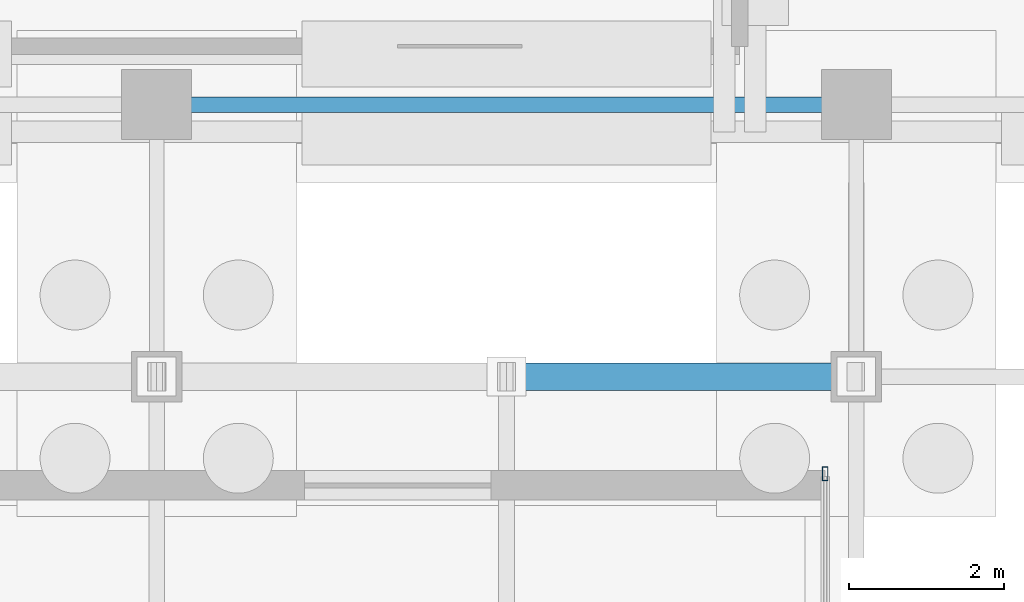
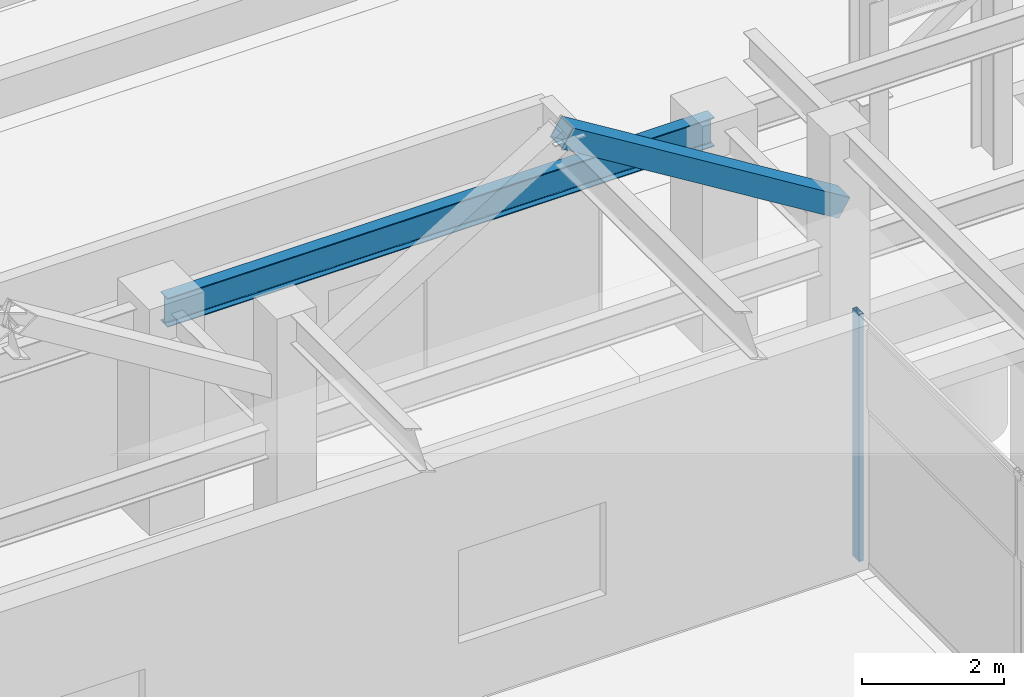
# One storey, part 62 of 160: 2 members, 1 beam, 1 element without a shape of its own.
"""IFC4 building model written with IfcOpenShell, lengths in metres."""

from ifc_helpers import new_model, si_unit, direction, frame, origin, origin_2d, place, context, subcontext, project, spatial, hollow_rectangle, i_section, extrude, material, layer, layer_set, material_profile, profile_set, type_object, element, aggregate, save


model = new_model("IFC4")

# Units and contexts
model_context = context("Model", 3, precision=1e-05, world=origin(), true_north=direction((0.0, 1.0)))
body_context = subcontext(model_context, "Body", "Model", "MODEL_VIEW")
ifc_project = project(units=[si_unit("LENGTHUNIT", "METRE"), si_unit("AREAUNIT", "SQUARE_METRE"), si_unit("VOLUMEUNIT", "CUBIC_METRE"), si_unit("PLANEANGLEUNIT", "RADIAN"), si_unit("MASSUNIT", "GRAM", prefix="KILO")], contexts=[model_context])

# Site, building, storey
site_placement = place(None, origin())
site = spatial("IfcSite", under=ifc_project, at=site_placement, CompositionType="ELEMENT")
building_placement = place(site_placement, origin())
building = spatial("IfcBuilding", under=site, at=building_placement, Name="Marlcrest Central Station", CompositionType="ELEMENT")
storey_placement = place(building_placement, origin())
storey = spatial("IfcBuildingStorey", under=building, at=storey_placement, Name="L00", CompositionType="ELEMENT", Elevation=0.0)

# Beam
ifc_material_1 = material(Name="Steel S355", Category="steel")
ifc_material_profile_1 = material_profile(ifc_material_1, i_section(OverallWidth=0.199951171875, OverallDepth=0.5, WebThickness=0.01025390625, FlangeThickness=0.01611328125, FilletRadius=0.02099609375, at=origin_2d()), Name="IPE 500")
ifc_profile_set_1 = profile_set([ifc_material_profile_1], Name="Steel S355")
beam_type = type_object("IfcBeamType", Name="BM-05", PredefinedType="BEAM", material=ifc_profile_set_1)
beam_placement = place(storey_placement, frame((54.050048828125, 36.5, 4.360107421875), z_axis=(1.0, 0.0, 0.0), x_axis=(0.0, 1.0, 0.0)))
element("IfcBeam", 1, at=beam_placement, inside=storey, type_object=beam_type, Name="bm-BM-05-L00-01086", PredefinedType="BEAM", context=body_context, shape_type="SweptSolid", body=[
    extrude(i_section(OverallWidth=0.199951171875, OverallDepth=0.5, WebThickness=0.01025390625, FlangeThickness=0.01611328125, FilletRadius=0.02099609375, at=origin_2d()), origin(), (0.0, 0.0, 1.0), 8.89990234375),
])

# Curtain wall, member
ifc_material_2 = material(Name="Anodised aluminium and hurricane laminated glass", Category="aluminium")
ifc_layer = layer(ifc_material_2, 0.179931640625, Name="CW-S1")
ifc_layer_set = layer_set([ifc_layer], Name="Anodised aluminium and hurricane laminated glass")
curtain_wall_type = type_object("IfcCurtainWallType", Name="CW-S1", PredefinedType="USERDEFINED", material=ifc_layer_set)
curtain_wall_placement = place(storey_placement, origin())
curtain_wall = element("IfcCurtainWall", 2, at=curtain_wall_placement, inside=storey, type_object=curtain_wall_type, Name="cw-L00-0148", ObjectType="STICK_CURTAIN_WALL", PredefinedType="USERDEFINED")
ifc_material_3 = material(Name="Anodised aluminium 6063-T6", Category="aluminium")
ifc_material_profile_2 = material_profile(ifc_material_3, hollow_rectangle(XDim=0.070068359375, YDim=0.179931640625, WallThickness=0.0048828125, at=origin_2d()), Name="AA-RHS 180x70x5")
ifc_profile_set_2 = profile_set([ifc_material_profile_2], Name="Anodised aluminium 6063-T6")
member_type_1 = type_object("IfcMemberType", Name="ML-02", PredefinedType="MULLION", material=ifc_profile_set_2)
member_1_placement = place(storey_placement, frame((62.60009765625, 31.75, -0.030029296875), z_axis=(0.0, 0.0, 1.0), x_axis=(1.0, 0.0, 0.0)))
member_1 = element("IfcMember", 3, at=member_1_placement, type_object=member_type_1, Name="cw-L00-0148-ml-0", PredefinedType="MULLION", context=body_context, shape_type="SweptSolid", body=[
    extrude(hollow_rectangle(XDim=0.070068359375, YDim=0.179931640625, WallThickness=0.0048828125, at=origin_2d()), origin(), (0.0, 0.0, 1.0), 4.260009765625),
])
aggregate(curtain_wall, [member_1])

# Member
ifc_material_profile_3 = material_profile(ifc_material_1, hollow_rectangle(XDim=0.35009765625, YDim=0.35009765625, WallThickness=0.01611328125, at=origin_2d()), Name="SHS 350x350x16")
ifc_profile_set_3 = profile_set([ifc_material_profile_3], Name="Steel S355")
member_type_2 = type_object("IfcMemberType", Name="ST-02", PredefinedType="STRUT", material=ifc_profile_set_3)
member_2_placement = place(storey_placement, frame((63.0, 33.0, 5.199951171875), z_axis=(-0.851591684043, 0.0, 0.524205688322), x_axis=(0.0, -1.0, 0.0)))
element("IfcMember", 4, at=member_2_placement, inside=storey, type_object=member_type_2, Name="mem-ST-02-L00-00060", PredefinedType="STRUT", context=body_context, shape_type="SweptSolid", body=[
    extrude(hollow_rectangle(XDim=0.35009765625, YDim=0.35009765625, WallThickness=0.01611328125, at=origin_2d()), origin(), (0.0, 0.0, 1.0), 5.2841796875),
])

save(model, "model.ifc")
